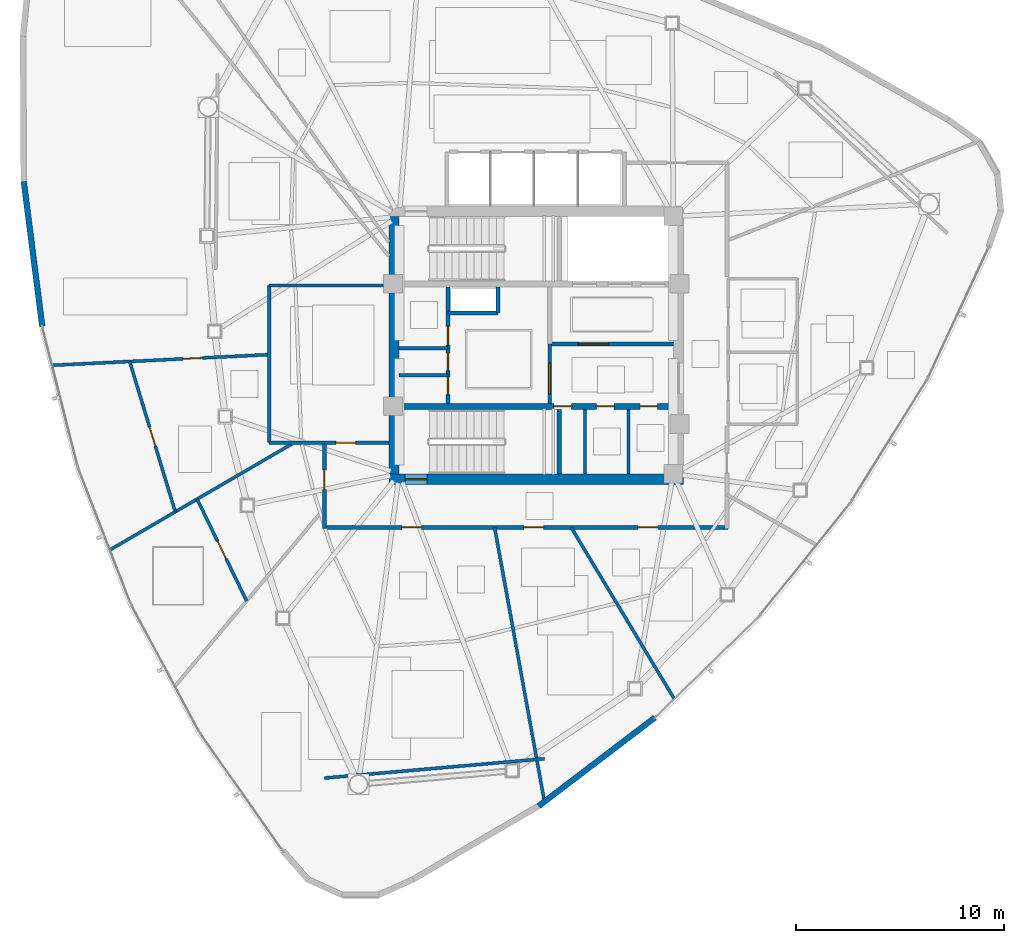
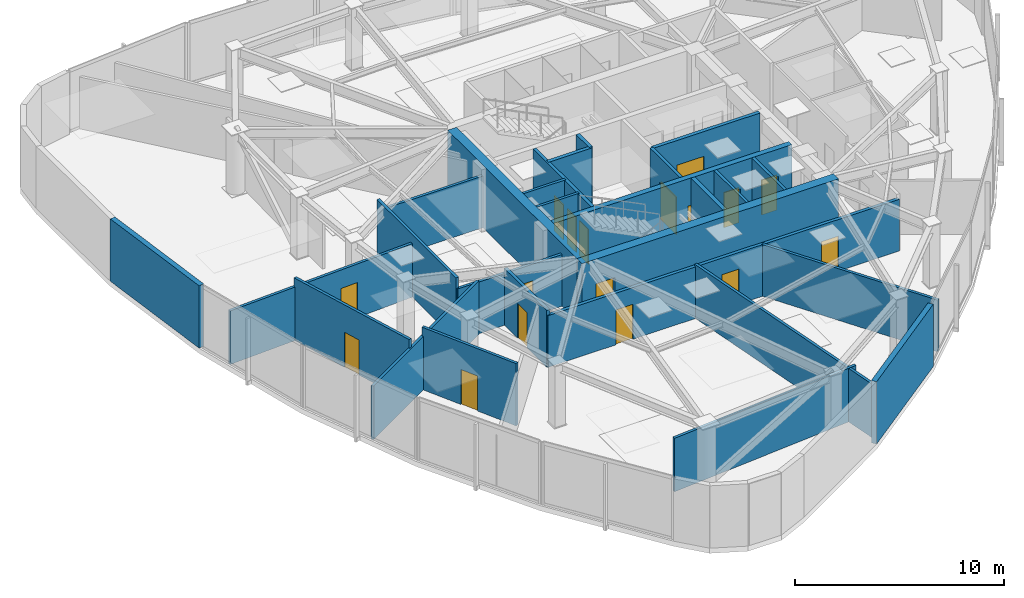
# One storey, part 8 of 13: 27 walls, 17 doors, 17 openings.
"""IFC4 building model written with IfcOpenShell, lengths in metres."""

import ifcopenshell
import ifcopenshell.guid

model = None  # the IFC model being written
_history = None  # IfcOwnerHistory: only IFC2X3 demands one
_inside = {}  # id of a spatial element -> (the spatial element, [elements in it])
_under = {}  # id of a project, library or spatial element -> (it, [spatial elements below it])
_declared = {}  # id of a project -> (the project, [libraries it declares])
_typed = {}  # id of a type object -> (the type object, [elements of that type])
_made_of = {}  # id of a material, layer set ... -> (it, [elements and type objects made of it])


def new_model(schema):
    """Start an empty IFC model of exactly this schema.

    Asked for "IFC4X3", IfcOpenShell would pick the latest addendum, in which some entities
    have other attributes; the version numbers below select the first issue.
    IFC2X3 requires an IfcOwnerHistory on every rooted entity: one is made here for all.
    """
    global model, _history
    if schema == "IFC4X3":
        model = ifcopenshell.file(schema_version=(4, 3, 0, 0))
    else:
        model = ifcopenshell.file(schema=schema)
    _inside.clear()
    _under.clear()
    _declared.clear()
    _typed.clear()
    _made_of.clear()
    _history = None
    if model.schema == "IFC2X3":
        org = make("IfcOrganization", Name="unknown")
        user = make(
            "IfcPersonAndOrganization",
            ThePerson=make("IfcPerson", FamilyName="unknown"),
            TheOrganization=org,
        )
        app = make(
            "IfcApplication",
            ApplicationDeveloper=org,
            Version="unknown",
            ApplicationFullName="unknown",
            ApplicationIdentifier="unknown",
        )
        _history = make(
            "IfcOwnerHistory",
            OwningUser=user,
            OwningApplication=app,
            ChangeAction="ADDED",
            CreationDate=0,
        )
    return model


def make(cls, **values):
    """One entity of the class cls with the attributes given. An attribute that is None is left unset."""
    return model.create_entity(
        cls, **{name: value for name, value in values.items() if value is not None}
    )


def rooted(cls, **values):
    """An entity with a GlobalId (a new one), such as an element, a storey or a relation."""
    return make(cls, GlobalId=ifcopenshell.guid.new(), OwnerHistory=_history, **values)


def si_unit(unit_type, name, prefix=None):
    """IfcSIUnit, for example si_unit("LENGTHUNIT", "METRE", prefix="MILLI")."""
    return make("IfcSIUnit", UnitType=unit_type, Prefix=prefix, Name=name)


def assignment(units):
    """IfcUnitAssignment: the units of a project."""
    return None if units is None else make("IfcUnitAssignment", Units=units)


def point(xyz):
    """IfcCartesianPoint."""
    return None if xyz is None else make("IfcCartesianPoint", Coordinates=xyz)


def direction(xyz):
    """IfcDirection."""
    return None if xyz is None else make("IfcDirection", DirectionRatios=xyz)


def frame(location, z_axis=None, x_axis=None):
    """IfcAxis2Placement3D, a coordinate frame: its origin and axes. An axis left out is left unset."""
    return make(
        "IfcAxis2Placement3D",
        Location=point(location),
        Axis=direction(z_axis),
        RefDirection=direction(x_axis),
    )


def frame_2d(location, x_axis=None):
    """IfcAxis2Placement2D, a coordinate frame in the plane: its origin and x axis."""
    return make(
        "IfcAxis2Placement2D", Location=point(location), RefDirection=direction(x_axis)
    )


def origin():
    """The frame at (0, 0, 0) with its axes left unset."""
    return frame((0.0, 0.0, 0.0))


def place(relative_to, where):
    """IfcLocalPlacement: puts the frame where relative to a parent placement (None: the world)."""
    return make(
        "IfcLocalPlacement", PlacementRelTo=relative_to, RelativePlacement=where
    )


def context(
    kind, dimensions, precision=None, world=None, true_north=None, identifier=None
):
    """IfcGeometricRepresentationContext, for example the 3D "Model" context."""
    return make(
        "IfcGeometricRepresentationContext",
        ContextIdentifier=identifier,
        ContextType=kind,
        CoordinateSpaceDimension=dimensions,
        Precision=precision,
        WorldCoordinateSystem=world,
        TrueNorth=true_north,
    )


def subcontext(parent, identifier, kind, view, scale=None):
    """IfcGeometricRepresentationSubContext, for example "Body" below "Model"."""
    return make(
        "IfcGeometricRepresentationSubContext",
        ContextIdentifier=identifier,
        ContextType=kind,
        ParentContext=parent,
        TargetScale=scale,
        TargetView=view,
    )


def project(units=None, contexts=None):
    """IfcProject with its units and contexts."""
    return rooted(
        "IfcProject",
        Name="project",
        RepresentationContexts=contexts,
        UnitsInContext=assignment(units),
    )


def spatial(cls, under=None, at=None, **own):
    """A site, building, storey or space (cls), placed at a placement, below another one or the project."""
    s = rooted(cls, ObjectPlacement=at, **own)
    if under is not None:
        _under.setdefault(under.id(), (under, []))[1].append(s)
    return s


def profile(cls, at=None, kind="AREA", **sizes):
    """A parametric profile (cls). Its sizes go by their IFC names, for example OverallWidth=200.0."""
    return make(cls, ProfileType=kind, Position=at, **sizes)


def rectangle(**sizes):
    """IfcRectangleProfileDef."""
    return profile("IfcRectangleProfileDef", **sizes)


def extrude(swept, where, along, depth):
    """IfcExtrudedAreaSolid: the profile swept, set in the frame where, extruded along a direction by depth."""
    return make(
        "IfcExtrudedAreaSolid",
        SweptArea=swept,
        Position=where,
        ExtrudedDirection=direction(along),
        Depth=depth,
    )


def shape(context_of_items, identifier, shape_type, items):
    """IfcShapeRepresentation: the items that make up one representation, for example the "Body"."""
    return make(
        "IfcShapeRepresentation",
        ContextOfItems=context_of_items,
        RepresentationIdentifier=identifier,
        RepresentationType=shape_type,
        Items=items,
    )


def material(Name=None, Category=None):
    """IfcMaterial."""
    return make("IfcMaterial", Name=Name, Category=Category)


def layer(
    of_material, thickness, ventilated=None, Name=None, Category=None, Priority=None
):
    """IfcMaterialLayer: one layer of a wall or slab, of a material (None: an air gap)."""
    return make(
        "IfcMaterialLayer",
        Material=of_material,
        LayerThickness=thickness,
        IsVentilated=ventilated,
        Name=Name,
        Category=Category,
        Priority=Priority,
    )


def layer_set(layers, Name=None):
    """IfcMaterialLayerSet."""
    return make("IfcMaterialLayerSet", MaterialLayers=layers, LayerSetName=Name)


def made_of(thing, what):
    """Note that an element or type object is made of a material, layer set ...; save() writes the relation."""
    if what is not None:
        _made_of.setdefault(what.id(), (what, []))[1].append(thing)
    return thing


def type_object(cls, material=None, **own):
    """A type object (cls), such as IfcWallType, which elements share."""
    return made_of(rooted(cls, **own), material)


def element(
    cls,
    number,
    at=None,
    inside=None,
    cuts=None,
    type_object=None,
    material=None,
    context=None,
    identifier="Body",
    shape_type=None,
    held_by="IfcProductDefinitionShape",
    body=None,
    shapes=None,
    **own,
):
    """One element of the class cls, such as IfcWall. Its Tag is "e" and its number.

    at: its placement. inside: the storey or other place that contains it. cuts: it is an
    opening in that element (IfcRelVoidsElement). A single representation is given by context,
    identifier, shape_type and body (its items); several are given by shapes. held_by: the class
    of the entity that holds the representations. save() writes the other relations.
    """
    e = rooted(cls, Tag="e%d" % number, ObjectPlacement=at, **own)
    if body is not None:
        shapes = [shape(context, identifier, shape_type, body)]
    if shapes is not None:
        e.Representation = make(held_by, Representations=shapes)
    if inside is not None:
        _inside.setdefault(inside.id(), (inside, []))[1].append(e)
    if cuts is not None:
        rooted(
            "IfcRelVoidsElement", RelatingBuildingElement=cuts, RelatedOpeningElement=e
        )
    if type_object is not None:
        _typed.setdefault(type_object.id(), (type_object, []))[1].append(e)
    return made_of(e, material)


def fill(opening, filler):
    """IfcRelFillsElement: the door or window that sits in an opening."""
    return rooted(
        "IfcRelFillsElement",
        RelatingOpeningElement=opening,
        RelatedBuildingElement=filler,
    )


def aggregate(whole, parts):
    """IfcRelAggregates: a whole, such as a stair, and the parts it consists of."""
    return rooted("IfcRelAggregates", RelatingObject=whole, RelatedObjects=parts)


def save(model, path):
    """Write the relations noted so far, then the file.

    IfcRelAggregates (storeys below a building ...), IfcRelContainedInSpatialStructure (elements
    in a storey), IfcRelDefinesByType, IfcRelAssociatesMaterial and IfcRelDeclares: one each for
    every whole, place, type object, material and project.
    """
    for whole, parts in _under.values():
        aggregate(whole, parts)
    for where, things in _inside.values():
        rooted(
            "IfcRelContainedInSpatialStructure",
            RelatedElements=things,
            RelatingStructure=where,
        )
    for kind, things in _typed.values():
        rooted("IfcRelDefinesByType", RelatedObjects=things, RelatingType=kind)
    for what, things in _made_of.values():
        rooted("IfcRelAssociatesMaterial", RelatedObjects=things, RelatingMaterial=what)
    for by, libraries in _declared.values():
        rooted("IfcRelDeclares", RelatingContext=by, RelatedDefinitions=libraries)
    model.write(path)


model = new_model("IFC4")

# Units and contexts
model_context = context("Model", 3, precision=1e-05, world=origin(), true_north=direction((0.0, 1.0)))
body_context = subcontext(model_context, "Body", "Model", "MODEL_VIEW")
ifc_project = project(units=[si_unit("LENGTHUNIT", "METRE"), si_unit("AREAUNIT", "SQUARE_METRE"), si_unit("VOLUMEUNIT", "CUBIC_METRE"), si_unit("PLANEANGLEUNIT", "RADIAN"), si_unit("MASSUNIT", "GRAM", prefix="KILO")], contexts=[model_context])

# Site, building, storey
site_placement = place(None, origin())
site = spatial("IfcSite", under=ifc_project, at=site_placement, CompositionType="ELEMENT")
building_placement = place(site_placement, origin())
building = spatial("IfcBuilding", under=site, at=building_placement, Name="Tavelor Broadcast Tower", CompositionType="ELEMENT")
storey_placement = place(building_placement, frame((0.0, 0.0, 241.89990234375)))
storey = spatial("IfcBuildingStorey", under=building, at=storey_placement, Name="L57", CompositionType="ELEMENT", Elevation=241.89990234375)

# Wall, opening, door
ifc_material_1 = material(Name="Concrete C50/60", Category="concrete")
ifc_layer_1 = layer(ifc_material_1, 0.5)
ifc_layer_set_1 = layer_set([ifc_layer_1], Name="Concrete C50/60")
wall_type_1 = type_object("IfcWallType", Name="Core Shear Wall 500 mm", PredefinedType="SHEAR", material=ifc_layer_set_1)
wall_1_placement = place(storey_placement, frame((42.89990234375, 38.550048828125, 0.0), z_axis=(0.0, 0.0, 1.0), x_axis=(1.0, 0.0, 0.0)))
wall_1 = element("IfcWall", 1, at=wall_1_placement, inside=storey, type_object=wall_type_1, Name="L57 Central Core Shear Wall S", PredefinedType="SHEAR", context=body_context, shape_type="SweptSolid", body=[
    extrude(rectangle(XDim=14.2001953125, YDim=0.5, at=frame_2d((7.10009765625, 0.0))), origin(), (0.0, 0.0, 1.0), 3.650146484375),
])
opening_1_placement = place(wall_1_placement, frame((0.780029296875, 0.0, 0.0)))
opening_1 = element("IfcOpeningElement", 2, at=opening_1_placement, cuts=wall_1, Name="Opening DR11", PredefinedType="OPENING", context=body_context, shape_type="SweptSolid", body=[
    extrude(rectangle(XDim=1.050048828125, YDim=2.199951171875, at=frame_2d((0.52490234375, 1.10009765625))), frame((0.0, 0.260009765625, 0.0), z_axis=(0.0, -1.0, 0.0), x_axis=(1.0, 0.0, 0.0)), (0.0, 0.0, 1.0), 0.52001953125),
])
ifc_material_2 = material(Name="Steel S355", Category="steel")
door_type_1 = type_object("IfcDoorType", Name="Stair Core Fire Escape Door 1050x2200", OperationType="NOTDEFINED", PredefinedType="DOOR", material=ifc_material_2)
door_1_placement = place(opening_1_placement, origin())
door_1 = element("IfcDoor", 3, at=door_1_placement, inside=storey, type_object=door_type_1, Name="L57 Stair ST2 Protected Exit Door", OperationType="SINGLE_SWING_RIGHT", OverallHeight=2.199951171875, OverallWidth=1.050048828125, PredefinedType="DOOR", context=body_context, shape_type="SweptSolid", body=[
    extrude(rectangle(XDim=1.050048828125, YDim=2.199951171875, at=frame_2d((0.52490234375, 1.10009765625))), frame((0.0, 0.02490234375, 0.0), z_axis=(0.0, -1.0, 0.0), x_axis=(1.0, 0.0, 0.0)), (0.0, 0.0, 1.0), 0.050048828125),
])
fill(opening_1, door_1)

# Wall
wall_2_placement = place(storey_placement, frame((43.14990234375, 38.800048828125, 0.0), z_axis=(0.0, 0.0, 1.0), x_axis=(0.0, 1.0, 0.0)))
element("IfcWall", 4, at=wall_2_placement, inside=storey, type_object=wall_type_1, Name="L57 Central Core Shear Wall W", PredefinedType="SHEAR", context=body_context, shape_type="SweptSolid", body=[
    extrude(rectangle(XDim=12.39990234375, YDim=0.5, at=frame_2d((6.199951171875, 0.0))), origin(), (0.0, 0.0, 1.0), 3.650146484375),
])

# Wall, openings, doors
ifc_layer_2 = layer(ifc_material_1, 0.300048828125)
ifc_layer_set_2 = layer_set([ifc_layer_2], Name="Concrete C50/60")
wall_type_2 = type_object("IfcWallType", Name="Core Spine Shear Wall 300 mm C50", PredefinedType="SHEAR", material=ifc_layer_set_2)
wall_3_placement = place(storey_placement, frame((43.39990234375, 42.050048828125, 0.0), z_axis=(0.0, 0.0, 1.0), x_axis=(1.0, 0.0, 0.0)))
wall_3 = element("IfcWall", 5, at=wall_3_placement, inside=storey, type_object=wall_type_2, Name="L57 Central Core Shear Wall SP2", PredefinedType="SHEAR", context=body_context, shape_type="SweptSolid", body=[
    extrude(rectangle(XDim=13.2001953125, YDim=0.300048828125, at=frame_2d((6.60009765625, 0.0))), origin(), (0.0, 0.0, 1.0), 3.650146484375),
])
opening_2_placement = place(wall_3_placement, frame((7.449951171875, 0.0, 0.0)))
opening_2 = element("IfcOpeningElement", 6, at=opening_2_placement, cuts=wall_3, Name="Opening DR36", PredefinedType="OPENING", context=body_context, shape_type="SweptSolid", body=[
    extrude(rectangle(XDim=0.85009765625, YDim=2.050048828125, at=frame_2d((0.425048828125, 1.02490234375))), frame((0.0, 0.16015625, 0.0), z_axis=(0.0, -1.0, 0.0), x_axis=(1.0, 0.0, 0.0)), (0.0, 0.0, 1.0), 0.320068359375),
])
opening_3_placement = place(wall_3_placement, frame((9.5, 0.0, 0.0)))
opening_3 = element("IfcOpeningElement", 7, at=opening_3_placement, cuts=wall_3, Name="Opening DR36", PredefinedType="OPENING", context=body_context, shape_type="SweptSolid", body=[
    extrude(rectangle(XDim=0.85009765625, YDim=2.050048828125, at=frame_2d((0.425048828125, 1.02490234375))), frame((0.0, 0.16015625, 0.0), z_axis=(0.0, -1.0, 0.0), x_axis=(1.0, 0.0, 0.0)), (0.0, 0.0, 1.0), 0.320068359375),
])
opening_4_placement = place(wall_3_placement, frame((11.60009765625, 0.0, 0.0)))
opening_4 = element("IfcOpeningElement", 8, at=opening_4_placement, cuts=wall_3, Name="Opening DR36", PredefinedType="OPENING", context=body_context, shape_type="SweptSolid", body=[
    extrude(rectangle(XDim=0.85009765625, YDim=2.050048828125, at=frame_2d((0.425048828125, 1.02490234375))), frame((0.0, 0.16015625, 0.0), z_axis=(0.0, -1.0, 0.0), x_axis=(1.0, 0.0, 0.0)), (0.0, 0.0, 1.0), 0.320068359375),
])
door_type_2 = type_object("IfcDoorType", Name="Service Room Fire Door 850x2050", OperationType="NOTDEFINED", PredefinedType="DOOR", material=ifc_material_2)
door_2_placement = place(opening_2_placement, origin())
door_2 = element("IfcDoor", 9, at=door_2_placement, inside=storey, type_object=door_type_2, Name="L57 Reclaimed South Core Pod 1 Door", OperationType="SINGLE_SWING_LEFT", OverallHeight=2.050048828125, OverallWidth=0.85009765625, PredefinedType="DOOR", context=body_context, shape_type="SweptSolid", body=[
    extrude(rectangle(XDim=0.85009765625, YDim=2.050048828125, at=frame_2d((0.425048828125, 1.02490234375))), frame((0.0, 0.02490234375, 0.0), z_axis=(0.0, -1.0, 0.0), x_axis=(1.0, 0.0, 0.0)), (0.0, 0.0, 1.0), 0.050048828125),
])
fill(opening_2, door_2)
door_3_placement = place(opening_3_placement, origin())
door_3 = element("IfcDoor", 10, at=door_3_placement, inside=storey, type_object=door_type_2, Name="L57 Reclaimed South Core Pod 2 Door", OperationType="SINGLE_SWING_RIGHT", OverallHeight=2.050048828125, OverallWidth=0.85009765625, PredefinedType="DOOR", context=body_context, shape_type="SweptSolid", body=[
    extrude(rectangle(XDim=0.85009765625, YDim=2.050048828125, at=frame_2d((0.425048828125, 1.02490234375))), frame((0.0, 0.02490234375, 0.0), z_axis=(0.0, -1.0, 0.0), x_axis=(1.0, 0.0, 0.0)), (0.0, 0.0, 1.0), 0.050048828125),
])
fill(opening_3, door_3)
door_4_placement = place(opening_4_placement, origin())
door_4 = element("IfcDoor", 11, at=door_4_placement, inside=storey, type_object=door_type_2, Name="L57 Reclaimed South Core Pod 3 Door", OperationType="SINGLE_SWING_LEFT", OverallHeight=2.050048828125, OverallWidth=0.85009765625, PredefinedType="DOOR", context=body_context, shape_type="SweptSolid", body=[
    extrude(rectangle(XDim=0.85009765625, YDim=2.050048828125, at=frame_2d((0.425048828125, 1.02490234375))), frame((0.0, 0.02490234375, 0.0), z_axis=(0.0, -1.0, 0.0), x_axis=(1.0, 0.0, 0.0)), (0.0, 0.0, 1.0), 0.050048828125),
])
fill(opening_4, door_4)

# Wall, opening, door
ifc_material_3 = material(Name="Calcium Silicate Fire Board 180 mm", Category="gypsum")
ifc_layer_3 = layer(ifc_material_3, 0.179931640625)
ifc_layer_set_3 = layer_set([ifc_layer_3], Name="Calcium Silicate Fire Board 180 mm")
wall_type_3 = type_object("IfcWallType", Name="Fire-Rated Corridor Partition Wall 180 mm", PredefinedType="PARTITIONING", material=ifc_layer_set_3)
wall_4_placement = place(storey_placement, frame((50.64990234375, 42.199951171875, 0.0), z_axis=(0.0, 0.0, 1.0), x_axis=(0.0, 1.0, 0.0)))
wall_4 = element("IfcWall", 12, at=wall_4_placement, inside=storey, type_object=wall_type_3, Name="L57 Core Lobby Zoning Wall", PredefinedType="PARTITIONING", context=body_context, shape_type="SweptSolid", body=[
    extrude(rectangle(XDim=2.85009765625, YDim=0.179931640625, at=frame_2d((1.425048828125, 0.0))), origin(), (0.0, 0.0, 1.0), 3.650146484375),
])
opening_5_placement = place(wall_4_placement, frame((0.449951171875, 0.0, 0.0)))
opening_5 = element("IfcOpeningElement", 13, at=opening_5_placement, cuts=wall_4, Name="Opening DR14", PredefinedType="OPENING", context=body_context, shape_type="SweptSolid", body=[
    extrude(rectangle(XDim=1.5, YDim=2.199951171875, at=frame_2d((0.75, 1.10009765625))), frame((0.0, 0.10009765625, 0.0), z_axis=(0.0, -1.0, 0.0), x_axis=(1.0, 0.0, 0.0)), (0.0, 0.0, 1.0), 0.199951171875),
])
door_type_3 = type_object("IfcDoorType", Name="Firefighting Lobby Double Fire Door 1500x2200", OperationType="NOTDEFINED", PredefinedType="DOOR", material=ifc_material_2)
door_5_placement = place(opening_5_placement, origin())
door_5 = element("IfcDoor", 14, at=door_5_placement, inside=storey, type_object=door_type_3, Name="L57 Core West Lobby Double Fire Door", OperationType="SINGLE_SWING_RIGHT", OverallHeight=2.199951171875, OverallWidth=1.5, PredefinedType="DOOR", context=body_context, shape_type="SweptSolid", body=[
    extrude(rectangle(XDim=1.5, YDim=2.199951171875, at=frame_2d((0.75, 1.10009765625))), frame((0.0, 0.02490234375, 0.0), z_axis=(0.0, -1.0, 0.0), x_axis=(1.0, 0.0, 0.0)), (0.0, 0.0, 1.0), 0.050048828125),
])
fill(opening_5, door_5)

# Wall, openings, doors
wall_5_placement = place(storey_placement, frame((45.75, 42.199951171875, 0.0), z_axis=(0.0, 0.0, 1.0), x_axis=(0.0, 1.0, 0.0)))
wall_5 = element("IfcWall", 15, at=wall_5_placement, inside=storey, type_object=wall_type_3, Name="L57 Core West Service East Wall", PredefinedType="PARTITIONING", context=body_context, shape_type="SweptSolid", body=[
    extrude(rectangle(XDim=5.60009765625, YDim=0.179931640625, at=frame_2d((2.800048828125, 0.0))), origin(), (0.0, 0.0, 1.0), 3.650146484375),
])
opening_6_placement = place(wall_5_placement, frame((0.419921875, 0.0, 0.0)))
opening_6 = element("IfcOpeningElement", 16, at=opening_6_placement, cuts=wall_5, Name="Opening DR36", PredefinedType="OPENING", context=body_context, shape_type="SweptSolid", body=[
    extrude(rectangle(XDim=0.85009765625, YDim=2.050048828125, at=frame_2d((0.425048828125, 1.02490234375))), frame((0.0, 0.10009765625, 0.0), z_axis=(0.0, -1.0, 0.0), x_axis=(1.0, 0.0, 0.0)), (0.0, 0.0, 1.0), 0.199951171875),
])
opening_7_placement = place(wall_5_placement, frame((1.570068359375, 0.0, 0.0)))
opening_7 = element("IfcOpeningElement", 17, at=opening_7_placement, cuts=wall_5, Name="Opening DR36", PredefinedType="OPENING", context=body_context, shape_type="SweptSolid", body=[
    extrude(rectangle(XDim=0.85009765625, YDim=2.050048828125, at=frame_2d((0.425048828125, 1.02490234375))), frame((0.0, 0.10009765625, 0.0), z_axis=(0.0, -1.0, 0.0), x_axis=(1.0, 0.0, 0.0)), (0.0, 0.0, 1.0), 0.199951171875),
])
opening_8_placement = place(wall_5_placement, frame((2.800048828125, 0.0, 0.0)))
opening_8 = element("IfcOpeningElement", 18, at=opening_8_placement, cuts=wall_5, Name="Opening DR32", PredefinedType="OPENING", context=body_context, shape_type="SweptSolid", body=[
    extrude(rectangle(XDim=0.89990234375, YDim=2.050048828125, at=frame_2d((0.449951171875, 1.02490234375))), frame((0.0, 0.10009765625, 0.0), z_axis=(0.0, -1.0, 0.0), x_axis=(1.0, 0.0, 0.0)), (0.0, 0.0, 1.0), 0.199951171875),
])
ifc_material_4 = material(Name="Timber Solid Core Hardwood", Category="wood")
door_type_4 = type_object("IfcDoorType", Name="Accessible Washroom Door 900x2050", OperationType="NOTDEFINED", PredefinedType="DOOR", material=ifc_material_4)
door_6_placement = place(opening_8_placement, origin())
door_6 = element("IfcDoor", 19, at=door_6_placement, inside=storey, type_object=door_type_4, Name="L57 Core Accessible WC Door", OperationType="SINGLE_SWING_LEFT", OverallHeight=2.050048828125, OverallWidth=0.89990234375, PredefinedType="DOOR", context=body_context, shape_type="SweptSolid", body=[
    extrude(rectangle(XDim=0.89990234375, YDim=2.050048828125, at=frame_2d((0.449951171875, 1.02490234375))), frame((0.0, 0.02490234375, 0.0), z_axis=(0.0, -1.0, 0.0), x_axis=(1.0, 0.0, 0.0)), (0.0, 0.0, 1.0), 0.050048828125),
])
fill(opening_8, door_6)
door_7_placement = place(opening_6_placement, origin())
door_7 = element("IfcDoor", 20, at=door_7_placement, inside=storey, type_object=door_type_2, Name="L57 Core Medical Room Door", OperationType="SINGLE_SWING_LEFT", OverallHeight=2.050048828125, OverallWidth=0.85009765625, PredefinedType="DOOR", context=body_context, shape_type="SweptSolid", body=[
    extrude(rectangle(XDim=0.85009765625, YDim=2.050048828125, at=frame_2d((0.425048828125, 1.02490234375))), frame((0.0, 0.02490234375, 0.0), z_axis=(0.0, -1.0, 0.0), x_axis=(1.0, 0.0, 0.0)), (0.0, 0.0, 1.0), 0.050048828125),
])
fill(opening_6, door_7)
door_8_placement = place(opening_7_placement, origin())
door_8 = element("IfcDoor", 21, at=door_8_placement, inside=storey, type_object=door_type_2, Name="L57 Core Copy Room Door", OperationType="SINGLE_SWING_RIGHT", OverallHeight=2.050048828125, OverallWidth=0.85009765625, PredefinedType="DOOR", context=body_context, shape_type="SweptSolid", body=[
    extrude(rectangle(XDim=0.85009765625, YDim=2.050048828125, at=frame_2d((0.425048828125, 1.02490234375))), frame((0.0, 0.02490234375, 0.0), z_axis=(0.0, -1.0, 0.0), x_axis=(1.0, 0.0, 0.0)), (0.0, 0.0, 1.0), 0.050048828125),
])
fill(opening_7, door_8)

wall_6_placement = place(storey_placement, frame((59.22998046875, 36.219970703125, 0.0), z_axis=(0.0, 0.0, 1.0), x_axis=(-1.0, 0.0, 0.0)))
wall_6 = element("IfcWall", 22, at=wall_6_placement, inside=storey, type_object=wall_type_3, Name="L57 Corridor Compartment Wall 04", PredefinedType="PARTITIONING", context=body_context, shape_type="SweptSolid", body=[
    extrude(rectangle(XDim=19.47998046875, YDim=0.179931640625, at=frame_2d((9.739990234375, 0.0))), origin(), (0.0, 0.0, 1.0), 3.025146484375),
])
opening_9_placement = place(wall_6_placement, frame((3.378173828125, 0.0, 0.0)))
opening_9 = element("IfcOpeningElement", 23, at=opening_9_placement, cuts=wall_6, Name="Opening DR18", PredefinedType="OPENING", context=body_context, shape_type="SweptSolid", body=[
    extrude(rectangle(XDim=0.949951171875, YDim=2.050048828125, at=frame_2d((0.47509765625, 1.02490234375))), frame((0.0, 0.10009765625, 0.0), z_axis=(0.0, -1.0, 0.0), x_axis=(1.0, 0.0, 0.0)), (0.0, 0.0, 1.0), 0.199951171875),
])
opening_10_placement = place(wall_6_placement, frame((8.880126953125, 0.0, 0.0)))
opening_10 = element("IfcOpeningElement", 24, at=opening_10_placement, cuts=wall_6, Name="Opening DR18", PredefinedType="OPENING", context=body_context, shape_type="SweptSolid", body=[
    extrude(rectangle(XDim=0.949951171875, YDim=2.050048828125, at=frame_2d((0.47509765625, 1.02490234375))), frame((0.0, 0.10009765625, 0.0), z_axis=(0.0, -1.0, 0.0), x_axis=(1.0, 0.0, 0.0)), (0.0, 0.0, 1.0), 0.199951171875),
])
opening_11_placement = place(wall_6_placement, frame((14.755859375, 0.0, 0.0)))
opening_11 = element("IfcOpeningElement", 25, at=opening_11_placement, cuts=wall_6, Name="Opening DR18", PredefinedType="OPENING", context=body_context, shape_type="SweptSolid", body=[
    extrude(rectangle(XDim=0.949951171875, YDim=2.050048828125, at=frame_2d((0.47509765625, 1.02490234375))), frame((0.0, 0.10009765625, 0.0), z_axis=(0.0, -1.0, 0.0), x_axis=(1.0, 0.0, 0.0)), (0.0, 0.0, 1.0), 0.199951171875),
])
door_type_5 = type_object("IfcDoorType", Name="Corridor Rated Compartment Door 950x2050", OperationType="NOTDEFINED", PredefinedType="DOOR", material=ifc_material_4)
door_9_placement = place(opening_9_placement, origin())
door_9 = element("IfcDoor", 26, at=door_9_placement, inside=storey, type_object=door_type_5, Name="L57 Syndication Legal Office Door R0", OperationType="SINGLE_SWING_LEFT", OverallHeight=2.050048828125, OverallWidth=0.949951171875, PredefinedType="DOOR", context=body_context, shape_type="SweptSolid", body=[
    extrude(rectangle(XDim=0.949951171875, YDim=2.050048828125, at=frame_2d((0.47509765625, 1.02490234375))), frame((0.0, 0.02490234375, 0.0), z_axis=(0.0, -1.0, 0.0), x_axis=(1.0, 0.0, 0.0)), (0.0, 0.0, 1.0), 0.050048828125),
])
fill(opening_9, door_9)
door_10_placement = place(opening_10_placement, origin())
door_10 = element("IfcDoor", 27, at=door_10_placement, inside=storey, type_object=door_type_5, Name="L57 International Bureau Office Door R1", OperationType="SINGLE_SWING_RIGHT", OverallHeight=2.050048828125, OverallWidth=0.949951171875, PredefinedType="DOOR", context=body_context, shape_type="SweptSolid", body=[
    extrude(rectangle(XDim=0.949951171875, YDim=2.050048828125, at=frame_2d((0.47509765625, 1.02490234375))), frame((0.0, 0.02490234375, 0.0), z_axis=(0.0, -1.0, 0.0), x_axis=(1.0, 0.0, 0.0)), (0.0, 0.0, 1.0), 0.050048828125),
])
fill(opening_10, door_10)
door_11_placement = place(opening_11_placement, origin())
door_11 = element("IfcDoor", 28, at=door_11_placement, inside=storey, type_object=door_type_5, Name="L57 Documentary Planning Office Door R2", OperationType="SINGLE_SWING_LEFT", OverallHeight=2.050048828125, OverallWidth=0.949951171875, PredefinedType="DOOR", context=body_context, shape_type="SweptSolid", body=[
    extrude(rectangle(XDim=0.949951171875, YDim=2.050048828125, at=frame_2d((0.47509765625, 1.02490234375))), frame((0.0, 0.02490234375, 0.0), z_axis=(0.0, -1.0, 0.0), x_axis=(1.0, 0.0, 0.0)), (0.0, 0.0, 1.0), 0.050048828125),
])
fill(opening_11, door_11)

# Wall, opening, door
wall_7_placement = place(storey_placement, frame((39.800048828125, 36.169921875, 0.0), z_axis=(0.0, 0.0, 1.0), x_axis=(0.0, 1.0, 0.0)))
wall_7 = element("IfcWall", 29, at=wall_7_placement, inside=storey, type_object=wall_type_3, Name="L57 Corridor Compartment Wall 05", PredefinedType="PARTITIONING", context=body_context, shape_type="SweptSolid", body=[
    extrude(rectangle(XDim=4.080078125, YDim=0.179931640625, at=frame_2d((2.0400390625, 0.0))), origin(), (0.0, 0.0, 1.0), 3.3251953125),
])
opening_12_placement = place(wall_7_placement, frame((1.86767578125, 0.0, 0.0)))
opening_12 = element("IfcOpeningElement", 30, at=opening_12_placement, cuts=wall_7, Name="Opening DR18", PredefinedType="OPENING", context=body_context, shape_type="SweptSolid", body=[
    extrude(rectangle(XDim=0.949951171875, YDim=2.050048828125, at=frame_2d((0.47509765625, 1.02490234375))), frame((0.0, 0.10009765625, 0.0), z_axis=(0.0, -1.0, 0.0), x_axis=(1.0, 0.0, 0.0)), (0.0, 0.0, 1.0), 0.199951171875),
])
door_12_placement = place(opening_12_placement, origin())
door_12 = element("IfcDoor", 31, at=door_12_placement, inside=storey, type_object=door_type_5, Name="L57 Press Concierge Desk Door R10", OperationType="SINGLE_SWING_RIGHT", OverallHeight=2.050048828125, OverallWidth=0.949951171875, PredefinedType="DOOR", context=body_context, shape_type="SweptSolid", body=[
    extrude(rectangle(XDim=0.949951171875, YDim=2.050048828125, at=frame_2d((0.47509765625, 1.02490234375))), frame((0.0, 0.02490234375, 0.0), z_axis=(0.0, -1.0, 0.0), x_axis=(1.0, 0.0, 0.0)), (0.0, 0.0, 1.0), 0.050048828125),
])
fill(opening_12, door_12)

# Walls
ifc_material_5 = material(Name="Precast Concrete C40/50", Category="concrete")
ifc_layer_4 = layer(ifc_material_5, 0.280029296875)
ifc_layer_set_4 = layer_set([ifc_layer_4], Name="Precast Concrete C40/50")
wall_type_4 = type_object("IfcWallType", Name="Insulated Precast Terracotta Facade Wall 280 mm", PredefinedType="STANDARD", material=ifc_layer_set_4)
for number, where, z_axis, x_axis, name in (
    (32, (25.317138671875, 52.883544921875, 0.0), (0.0, 0.0, 1.0), (0.12661372621, -0.991952097803, 0.0), "L57 Rounded Corner Structural Cladding Pier 06"),
    (33, (50.114013671875, 22.7998046875, 0.0), (0.0, 0.0, 1.0), (0.795758171599, 0.605614508027, 0.0), "L57 Rounded Corner Structural Cladding Pier 16"),
):
    element("IfcWall", number, at=place(storey_placement, frame(where, z_axis=z_axis, x_axis=x_axis)), inside=storey, type_object=wall_type_4, Name=name, PredefinedType="STANDARD", context=body_context, shape_type="SweptSolid", body=[
        extrude(rectangle(XDim=7.0361328125, YDim=0.280029296875, at=frame_2d((3.51806640625, 0.0))), origin(), (0.0, 0.0, 1.0), 3.650146484375),
    ])
ifc_material_6 = material(Name="Gypsum Acoustic Plasterboard 150 mm", Category="gypsum")
ifc_layer_5 = layer(ifc_material_6, 0.14990234375)
ifc_layer_set_5 = layer_set([ifc_layer_5], Name="Gypsum Acoustic Plasterboard 150 mm")
wall_type_5 = type_object("IfcWallType", Name="Interior Acoustic Partition Wall 150 mm", PredefinedType="PARTITIONING", material=ifc_layer_set_5)
for number, where, z_axis, x_axis, name in (
    (34, (52.35009765625, 38.800048828125, 0.0), (0.0, 0.0, 1.0), (0.0, 1.0, 0.0), "L57 Reclaimed South Core Divider 1"),
    (35, (54.449951171875, 38.800048828125, 0.0), (0.0, 0.0, 1.0), (0.0, 1.0, 0.0), "L57 Reclaimed South Core Divider 2"),
):
    element("IfcWall", number, at=place(storey_placement, frame(where, z_axis=z_axis, x_axis=x_axis)), inside=storey, type_object=wall_type_5, Name=name, PredefinedType="PARTITIONING", context=body_context, shape_type="SweptSolid", body=[
        extrude(rectangle(XDim=3.099853515625, YDim=0.14990234375, at=frame_2d((1.5498046875, 0.0))), origin(), (0.0, 0.0, 1.0), 3.650146484375),
    ])
for number, where, z_axis, x_axis, name in (
    (36, (43.39990234375, 43.550048828125, 0.0), (0.0, 0.0, 1.0), (1.0, 0.0, 0.0), "L57 Core Split Wall B1"),
    (37, (43.39990234375, 44.85009765625, 0.0), (0.0, 0.0, 1.0), (1.0, 0.0, 0.0), "L57 Core Split Wall B2"),
):
    element("IfcWall", number, at=place(storey_placement, frame(where, z_axis=z_axis, x_axis=x_axis)), inside=storey, type_object=wall_type_5, Name=name, PredefinedType="PARTITIONING", context=body_context, shape_type="SweptSolid", body=[
        extrude(rectangle(XDim=2.35009765625, YDim=0.14990234375, at=frame_2d((1.175048828125, 0.0))), origin(), (0.0, 0.0, 1.0), 3.650146484375),
    ])
wall_8_placement = place(storey_placement, frame((39.807861328125, 24.15185546875, 0.0), z_axis=(0.0, 0.0, 1.0), x_axis=(0.996153584085, 0.087624408208, 0.0)))
element("IfcWall", 38, at=wall_8_placement, inside=storey, type_object=wall_type_5, Name="L57 Corner Tube Brace Furring Wall 2", PredefinedType="PARTITIONING", context=body_context, shape_type="SweptSolid", body=[
    extrude(rectangle(XDim=10.63232421875, YDim=0.14990234375, at=frame_2d((5.316162109375, 0.0))), origin(), (0.0, 0.0, 1.0), 3.135009765625),
])

# Wall, opening, door
wall_9_placement = place(storey_placement, frame((37.139892578125, 40.300048828125, 0.0), z_axis=(0.0, 0.0, 1.0), x_axis=(1.0, 0.0, 0.0)))
wall_9 = element("IfcWall", 39, at=wall_9_placement, inside=storey, type_object=wall_type_5, Name="L57 Reclaimed Shaft Pantry South Wall", PredefinedType="PARTITIONING", context=body_context, shape_type="SweptSolid", body=[
    extrude(rectangle(XDim=5.760009765625, YDim=0.14990234375, at=frame_2d((2.8798828125, 0.0))), origin(), (0.0, 0.0, 1.0), 3.025146484375),
])
opening_13_placement = place(wall_9_placement, frame((3.2099609375, 0.0, 0.0)))
opening_13 = element("IfcOpeningElement", 40, at=opening_13_placement, cuts=wall_9, Name="Opening DR18", PredefinedType="OPENING", context=body_context, shape_type="SweptSolid", body=[
    extrude(rectangle(XDim=0.949951171875, YDim=2.050048828125, at=frame_2d((0.47509765625, 1.02490234375))), frame((0.0, 0.0849609375, 0.0), z_axis=(0.0, -1.0, 0.0), x_axis=(1.0, 0.0, 0.0)), (0.0, 0.0, 1.0), 0.169921875),
])
door_13_placement = place(opening_13_placement, origin())
door_13 = element("IfcDoor", 41, at=door_13_placement, inside=storey, type_object=door_type_5, Name="L57 Broadcast IT Patch and Pantry Door", OperationType="SINGLE_SWING_LEFT", OverallHeight=2.050048828125, OverallWidth=0.949951171875, PredefinedType="DOOR", context=body_context, shape_type="SweptSolid", body=[
    extrude(rectangle(XDim=0.949951171875, YDim=2.050048828125, at=frame_2d((0.47509765625, 1.02490234375))), frame((0.0, 0.02490234375, 0.0), z_axis=(0.0, -1.0, 0.0), x_axis=(1.0, 0.0, 0.0)), (0.0, 0.0, 1.0), 0.050048828125),
])
fill(opening_13, door_13)

# Walls
wall_10_placement = place(storey_placement, frame((37.139892578125, 40.300048828125, 0.0), z_axis=(0.0, 0.0, 1.0), x_axis=(0.0, 1.0, 0.0)))
element("IfcWall", 42, at=wall_10_placement, inside=storey, type_object=wall_type_5, Name="L57 Reclaimed Shaft Pantry West Wall", PredefinedType="PARTITIONING", context=body_context, shape_type="SweptSolid", body=[
    extrude(rectangle(XDim=7.579833984375, YDim=0.14990234375, at=frame_2d((3.7900390625, 0.0))), origin(), (0.0, 0.0, 1.0), 3.650146484375),
])
wall_11_placement = place(storey_placement, frame((37.139892578125, 47.8798828125, 0.0), z_axis=(0.0, 0.0, 1.0), x_axis=(1.0, 0.0, 0.0)))
element("IfcWall", 43, at=wall_11_placement, inside=storey, type_object=wall_type_5, Name="L57 Reclaimed Shaft Pantry North Wall", PredefinedType="PARTITIONING", context=body_context, shape_type="SweptSolid", body=[
    extrude(rectangle(XDim=5.760009765625, YDim=0.14990234375, at=frame_2d((2.8798828125, 0.0))), origin(), (0.0, 0.0, 1.0), 3.025146484375),
])

# Wall, opening, door
wall_12_placement = place(storey_placement, frame((37.080078125, 44.541015625, 0.0), z_axis=(0.0, 0.0, 1.0), x_axis=(-0.998789744321, -0.049183804653, 0.0)))
wall_12 = element("IfcWall", 44, at=wall_12_placement, inside=storey, type_object=wall_type_5, Name="L57 Radial Compartment Wall 04", PredefinedType="PARTITIONING", context=body_context, shape_type="SweptSolid", body=[
    extrude(rectangle(XDim=10.419189453125, YDim=0.14990234375, at=frame_2d((5.20947265625, 0.0))), origin(), (0.0, 0.0, 1.0), 3.135009765625),
])
opening_14_placement = place(wall_12_placement, frame((3.14990234375, 0.0, 0.0)))
opening_14 = element("IfcOpeningElement", 45, at=opening_14_placement, cuts=wall_12, Name="Opening DR18", PredefinedType="OPENING", context=body_context, shape_type="SweptSolid", body=[
    extrude(rectangle(XDim=0.949951171875, YDim=2.050048828125, at=frame_2d((0.47509765625, 1.02490234375))), frame((0.0, 0.0849609375, 0.0), z_axis=(0.0, -1.0, 0.0), x_axis=(1.0, 0.0, 0.0)), (0.0, 0.0, 1.0), 0.169921875),
])
door_14_placement = place(opening_14_placement, origin())
door_14 = element("IfcDoor", 46, at=door_14_placement, inside=storey, type_object=door_type_5, Name="L57 Suite Connecting Door 9", OperationType="SINGLE_SWING_RIGHT", OverallHeight=2.050048828125, OverallWidth=0.949951171875, PredefinedType="DOOR", context=body_context, shape_type="SweptSolid", body=[
    extrude(rectangle(XDim=0.949951171875, YDim=2.050048828125, at=frame_2d((0.47509765625, 1.02490234375))), frame((0.0, 0.02490234375, 0.0), z_axis=(0.0, -1.0, 0.0), x_axis=(1.0, 0.0, 0.0)), (0.0, 0.0, 1.0), 0.050048828125),
])
fill(opening_14, door_14)

# Walls
wall_13_placement = place(storey_placement, frame((38.226806640625, 40.239990234375, 0.0), z_axis=(0.0, 0.0, 1.0), x_axis=(-0.864129548562, -0.503269434103, 0.0)))
element("IfcWall", 47, at=wall_13_placement, inside=storey, type_object=wall_type_5, Name="L57 Radial Compartment Wall 05", PredefinedType="PARTITIONING", context=body_context, shape_type="SweptSolid", body=[
    extrude(rectangle(XDim=10.1455078125, YDim=0.14990234375, at=frame_2d((5.07275390625, 0.0))), origin(), (0.0, 0.0, 1.0), 3.135009765625),
])
wall_14_placement = place(storey_placement, frame((47.9951171875, 36.219970703125, 0.0), z_axis=(0.0, 0.0, 1.0), x_axis=(0.178747904514, -0.983894906294, 0.0)))
element("IfcWall", 48, at=wall_14_placement, inside=storey, type_object=wall_type_5, Name="L57 Radial Compartment Wall 07", PredefinedType="PARTITIONING", context=body_context, shape_type="SweptSolid", body=[
    extrude(rectangle(XDim=13.434326171875, YDim=0.14990234375, at=frame_2d((6.71728515625, 0.0))), origin(), (0.0, 0.0, 1.0), 3.135009765625),
])
wall_15_placement = place(storey_placement, frame((51.680419921875, 36.219970703125, 0.0), z_axis=(0.0, 0.0, 1.0), x_axis=(0.51539302826, -0.856953923161, 0.0)))
element("IfcWall", 49, at=wall_15_placement, inside=storey, type_object=wall_type_5, Name="L57 Radial Compartment Wall 08", PredefinedType="PARTITIONING", context=body_context, shape_type="SweptSolid", body=[
    extrude(rectangle(XDim=9.64013671875, YDim=0.14990234375, at=frame_2d((4.820068359375, 0.0))), origin(), (0.0, 0.0, 1.0), 3.025146484375),
])

# Wall, opening, door
wall_16_placement = place(storey_placement, frame((30.419921875, 44.212890625, 0.0), z_axis=(0.0, 0.0, 1.0), x_axis=(0.290235748061, -0.956955176875, 0.0)))
wall_16 = element("IfcWall", 50, at=wall_16_placement, inside=storey, type_object=wall_type_5, Name="L57 Suite Chord Partition Wall 01", PredefinedType="PARTITIONING", context=body_context, shape_type="SweptSolid", body=[
    extrude(rectangle(XDim=7.56640625, YDim=0.14990234375, at=frame_2d((3.783203125, 0.0))), origin(), (0.0, 0.0, 1.0), 3.650146484375),
])
opening_15_placement = place(wall_16_placement, frame((3.308349609375, 0.0, 0.0)))
opening_15 = element("IfcOpeningElement", 51, at=opening_15_placement, cuts=wall_16, Name="Opening DR23", PredefinedType="OPENING", context=body_context, shape_type="SweptSolid", body=[
    extrude(rectangle(XDim=0.949951171875, YDim=2.050048828125, at=frame_2d((0.47509765625, 1.02490234375))), frame((0.0, 0.0849609375, 0.0), z_axis=(0.0, -1.0, 0.0), x_axis=(1.0, 0.0, 0.0)), (0.0, 0.0, 1.0), 0.169921875),
])
door_type_6 = type_object("IfcDoorType", Name="Editorial Room Acoustic Door 950x2050", OperationType="NOTDEFINED", PredefinedType="DOOR", material=ifc_material_4)
door_15_placement = place(opening_15_placement, origin())
door_15 = element("IfcDoor", 52, at=door_15_placement, inside=storey, type_object=door_type_6, Name="L57 Outer Suite Partition Door 1", OperationType="SINGLE_SWING_LEFT", OverallHeight=2.050048828125, OverallWidth=0.949951171875, PredefinedType="DOOR", context=body_context, shape_type="SweptSolid", body=[
    extrude(rectangle(XDim=0.949951171875, YDim=2.050048828125, at=frame_2d((0.47509765625, 1.02490234375))), frame((0.0, 0.02490234375, 0.0), z_axis=(0.0, -1.0, 0.0), x_axis=(1.0, 0.0, 0.0)), (0.0, 0.0, 1.0), 0.050048828125),
])
fill(opening_15, door_15)

wall_17_placement = place(storey_placement, frame((33.66796875, 37.5849609375, 0.0), z_axis=(0.0, 0.0, 1.0), x_axis=(0.437333578749, -0.899299361113, 0.0)))
wall_17 = element("IfcWall", 53, at=wall_17_placement, inside=storey, type_object=wall_type_5, Name="L57 Suite Chord Partition Wall 02", PredefinedType="PARTITIONING", context=body_context, shape_type="SweptSolid", body=[
    extrude(rectangle(XDim=5.451171875, YDim=0.14990234375, at=frame_2d((2.7255859375, 0.0))), origin(), (0.0, 0.0, 1.0), 3.650146484375),
])
opening_16_placement = place(wall_17_placement, frame((2.25048828125, 0.0, 0.0)))
opening_16 = element("IfcOpeningElement", 54, at=opening_16_placement, cuts=wall_17, Name="Opening DR23", PredefinedType="OPENING", context=body_context, shape_type="SweptSolid", body=[
    extrude(rectangle(XDim=0.949951171875, YDim=2.050048828125, at=frame_2d((0.47509765625, 1.02490234375))), frame((0.0, 0.0849609375, 0.0), z_axis=(0.0, -1.0, 0.0), x_axis=(1.0, 0.0, 0.0)), (0.0, 0.0, 1.0), 0.169921875),
])
door_16_placement = place(opening_16_placement, origin())
door_16 = element("IfcDoor", 55, at=door_16_placement, inside=storey, type_object=door_type_6, Name="L57 Outer Suite Partition Door 2", OperationType="SINGLE_SWING_RIGHT", OverallHeight=2.050048828125, OverallWidth=0.949951171875, PredefinedType="DOOR", context=body_context, shape_type="SweptSolid", body=[
    extrude(rectangle(XDim=0.949951171875, YDim=2.050048828125, at=frame_2d((0.47509765625, 1.02490234375))), frame((0.0, 0.02490234375, 0.0), z_axis=(0.0, -1.0, 0.0), x_axis=(1.0, 0.0, 0.0)), (0.0, 0.0, 1.0), 0.050048828125),
])
fill(opening_16, door_16)

# Walls
ifc_material_7 = material(Name="Concrete Blockwork 200 mm", Category="masonry")
ifc_layer_6 = layer(ifc_material_7, 0.199951171875)
ifc_layer_set_6 = layer_set([ifc_layer_6], Name="Concrete Blockwork 200 mm")
wall_type_6 = type_object("IfcWallType", Name="Lift and Riser Shaft Enclosure Wall 200 mm", PredefinedType="PARTITIONING", material=ifc_layer_set_6)
wall_18_placement = place(storey_placement, frame((45.75, 46.550048828125, 0.0), z_axis=(0.0, 0.0, 1.0), x_axis=(1.0, 0.0, 0.0)))
element("IfcWall", 56, at=wall_18_placement, inside=storey, type_object=wall_type_6, Name="L57 Riser Shaft South Wall", PredefinedType="PARTITIONING", context=body_context, shape_type="SweptSolid", body=[
    extrude(rectangle(XDim=2.39990234375, YDim=0.199951171875, at=frame_2d((1.199951171875, 0.0))), origin(), (0.0, 0.0, 1.0), 3.650146484375),
])
wall_19_placement = place(storey_placement, frame((48.14990234375, 46.550048828125, 0.0), z_axis=(0.0, 0.0, 1.0), x_axis=(0.0, 1.0, 0.0)))
element("IfcWall", 57, at=wall_19_placement, inside=storey, type_object=wall_type_6, Name="L57 Riser Shaft East Wall", PredefinedType="PARTITIONING", context=body_context, shape_type="SweptSolid", body=[
    extrude(rectangle(XDim=1.25, YDim=0.199951171875, at=frame_2d((0.625, 0.0))), origin(), (0.0, 0.0, 1.0), 3.650146484375),
])

# Wall, opening, door
wall_20_placement = place(storey_placement, frame((50.64990234375, 45.050048828125, 0.0), z_axis=(0.0, 0.0, 1.0), x_axis=(1.0, 0.0, 0.0)))
wall_20 = element("IfcWall", 58, at=wall_20_placement, inside=storey, type_object=wall_type_6, Name="L57 Firefighting Lobby South Wall", PredefinedType="PARTITIONING", context=body_context, shape_type="SweptSolid", body=[
    extrude(rectangle(XDim=5.9501953125, YDim=0.199951171875, at=frame_2d((2.97509765625, 0.0))), origin(), (0.0, 0.0, 1.0), 3.650146484375),
])
opening_17_placement = place(wall_20_placement, frame((1.35009765625, 0.0, 0.0)))
opening_17 = element("IfcOpeningElement", 59, at=opening_17_placement, cuts=wall_20, Name="Opening DR14", PredefinedType="OPENING", context=body_context, shape_type="SweptSolid", body=[
    extrude(rectangle(XDim=1.5, YDim=2.199951171875, at=frame_2d((0.75, 1.10009765625))), frame((0.0, 0.10986328125, 0.0), z_axis=(0.0, -1.0, 0.0), x_axis=(1.0, 0.0, 0.0)), (0.0, 0.0, 1.0), 0.219970703125),
])
door_17_placement = place(opening_17_placement, origin())
door_17 = element("IfcDoor", 60, at=door_17_placement, inside=storey, type_object=door_type_3, Name="L57 Firefighting Lobby Compartment Door", OperationType="SINGLE_SWING_LEFT", OverallHeight=2.199951171875, OverallWidth=1.5, PredefinedType="DOOR", context=body_context, shape_type="SweptSolid", body=[
    extrude(rectangle(XDim=1.5, YDim=2.199951171875, at=frame_2d((0.75, 1.10009765625))), frame((0.0, 0.02490234375, 0.0), z_axis=(0.0, -1.0, 0.0), x_axis=(1.0, 0.0, 0.0)), (0.0, 0.0, 1.0), 0.050048828125),
])
fill(opening_17, door_17)

# Wall
ifc_material_8 = material(Name="Concrete C40/50", Category="concrete")
ifc_layer_7 = layer(ifc_material_8, 0.219970703125)
ifc_layer_set_7 = layer_set([ifc_layer_7], Name="Concrete C40/50")
wall_type_7 = type_object("IfcWallType", Name="Structural Stairwell Shear Wall 220 mm", PredefinedType="SHEAR", material=ifc_layer_set_7)
wall_21_placement = place(storey_placement, frame((51.110107421875, 38.800048828125, 0.0), z_axis=(0.0, 0.0, 1.0), x_axis=(0.0, 1.0, 0.0)))
element("IfcWall", 61, at=wall_21_placement, inside=storey, type_object=wall_type_7, Name="L57 Stair ST2 Structural Shaft Wall", PredefinedType="SHEAR", context=body_context, shape_type="SweptSolid", body=[
    extrude(rectangle(XDim=3.099853515625, YDim=0.219970703125, at=frame_2d((1.5498046875, 0.0))), origin(), (0.0, 0.0, 1.0), 3.650146484375),
])

save(model, "model.ifc")
